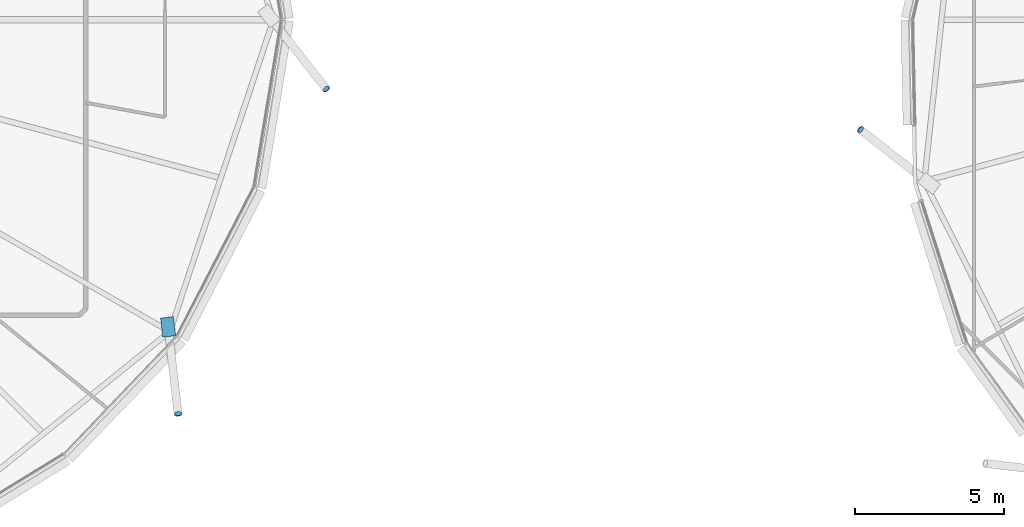
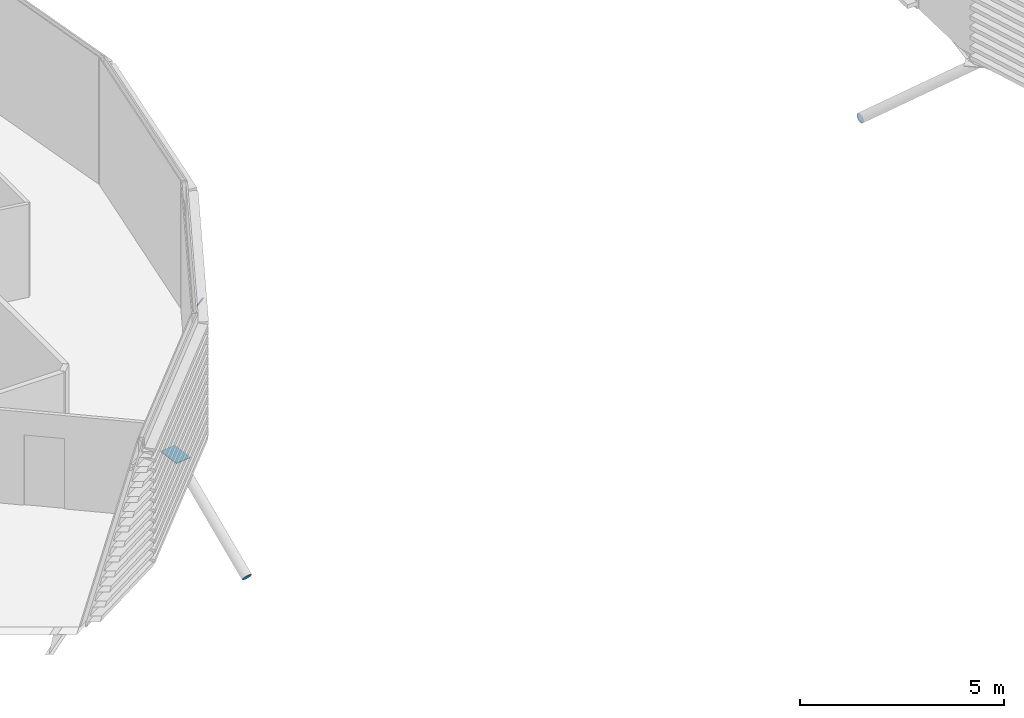
# One storey, part 27 of 36: 4 discrete accessories.
"""IFC4 building model written with IfcOpenShell, lengths in metres."""

import ifcopenshell
import ifcopenshell.guid

model = None  # the IFC model being written
_history = None  # IfcOwnerHistory: only IFC2X3 demands one
_inside = {}  # id of a spatial element -> (the spatial element, [elements in it])
_under = {}  # id of a project, library or spatial element -> (it, [spatial elements below it])
_declared = {}  # id of a project -> (the project, [libraries it declares])
_typed = {}  # id of a type object -> (the type object, [elements of that type])
_made_of = {}  # id of a material, layer set ... -> (it, [elements and type objects made of it])


def new_model(schema):
    """Start an empty IFC model of exactly this schema.

    Asked for "IFC4X3", IfcOpenShell would pick the latest addendum, in which some entities
    have other attributes; the version numbers below select the first issue.
    IFC2X3 requires an IfcOwnerHistory on every rooted entity: one is made here for all.
    """
    global model, _history
    if schema == "IFC4X3":
        model = ifcopenshell.file(schema_version=(4, 3, 0, 0))
    else:
        model = ifcopenshell.file(schema=schema)
    _inside.clear()
    _under.clear()
    _declared.clear()
    _typed.clear()
    _made_of.clear()
    _history = None
    if model.schema == "IFC2X3":
        org = make("IfcOrganization", Name="unknown")
        user = make(
            "IfcPersonAndOrganization",
            ThePerson=make("IfcPerson", FamilyName="unknown"),
            TheOrganization=org,
        )
        app = make(
            "IfcApplication",
            ApplicationDeveloper=org,
            Version="unknown",
            ApplicationFullName="unknown",
            ApplicationIdentifier="unknown",
        )
        _history = make(
            "IfcOwnerHistory",
            OwningUser=user,
            OwningApplication=app,
            ChangeAction="ADDED",
            CreationDate=0,
        )
    return model


def make(cls, **values):
    """One entity of the class cls with the attributes given. An attribute that is None is left unset."""
    return model.create_entity(
        cls, **{name: value for name, value in values.items() if value is not None}
    )


def rooted(cls, **values):
    """An entity with a GlobalId (a new one), such as an element, a storey or a relation."""
    return make(cls, GlobalId=ifcopenshell.guid.new(), OwnerHistory=_history, **values)


def si_unit(unit_type, name, prefix=None):
    """IfcSIUnit, for example si_unit("LENGTHUNIT", "METRE", prefix="MILLI")."""
    return make("IfcSIUnit", UnitType=unit_type, Prefix=prefix, Name=name)


def assignment(units):
    """IfcUnitAssignment: the units of a project."""
    return None if units is None else make("IfcUnitAssignment", Units=units)


def point(xyz):
    """IfcCartesianPoint."""
    return None if xyz is None else make("IfcCartesianPoint", Coordinates=xyz)


def direction(xyz):
    """IfcDirection."""
    return None if xyz is None else make("IfcDirection", DirectionRatios=xyz)


def frame(location, z_axis=None, x_axis=None):
    """IfcAxis2Placement3D, a coordinate frame: its origin and axes. An axis left out is left unset."""
    return make(
        "IfcAxis2Placement3D",
        Location=point(location),
        Axis=direction(z_axis),
        RefDirection=direction(x_axis),
    )


def frame_2d(location, x_axis=None):
    """IfcAxis2Placement2D, a coordinate frame in the plane: its origin and x axis."""
    return make(
        "IfcAxis2Placement2D", Location=point(location), RefDirection=direction(x_axis)
    )


def origin():
    """The frame at (0, 0, 0) with its axes left unset."""
    return frame((0.0, 0.0, 0.0))


def origin_2d():
    """The frame at (0, 0) in the plane with its x axis left unset."""
    return frame_2d((0.0, 0.0))


def place(relative_to, where):
    """IfcLocalPlacement: puts the frame where relative to a parent placement (None: the world)."""
    return make(
        "IfcLocalPlacement", PlacementRelTo=relative_to, RelativePlacement=where
    )


def context(
    kind, dimensions, precision=None, world=None, true_north=None, identifier=None
):
    """IfcGeometricRepresentationContext, for example the 3D "Model" context."""
    return make(
        "IfcGeometricRepresentationContext",
        ContextIdentifier=identifier,
        ContextType=kind,
        CoordinateSpaceDimension=dimensions,
        Precision=precision,
        WorldCoordinateSystem=world,
        TrueNorth=true_north,
    )


def subcontext(parent, identifier, kind, view, scale=None):
    """IfcGeometricRepresentationSubContext, for example "Body" below "Model"."""
    return make(
        "IfcGeometricRepresentationSubContext",
        ContextIdentifier=identifier,
        ContextType=kind,
        ParentContext=parent,
        TargetScale=scale,
        TargetView=view,
    )


def project(units=None, contexts=None):
    """IfcProject with its units and contexts."""
    return rooted(
        "IfcProject",
        Name="project",
        RepresentationContexts=contexts,
        UnitsInContext=assignment(units),
    )


def spatial(cls, under=None, at=None, **own):
    """A site, building, storey or space (cls), placed at a placement, below another one or the project."""
    s = rooted(cls, ObjectPlacement=at, **own)
    if under is not None:
        _under.setdefault(under.id(), (under, []))[1].append(s)
    return s


def polyline(points):
    """IfcPolyline through the points."""
    return make("IfcPolyline", Points=[point(p) for p in points])


def profile(cls, at=None, kind="AREA", **sizes):
    """A parametric profile (cls). Its sizes go by their IFC names, for example OverallWidth=200.0."""
    return make(cls, ProfileType=kind, Position=at, **sizes)


def rectangle(**sizes):
    """IfcRectangleProfileDef."""
    return profile("IfcRectangleProfileDef", **sizes)


def circle(**sizes):
    """IfcCircleProfileDef."""
    return profile("IfcCircleProfileDef", **sizes)


def outline(outer, holes=None, kind="AREA"):
    """IfcArbitraryClosedProfileDef: a profile drawn as a closed curve; with holes, ...WithVoids."""
    if holes is None:
        return make("IfcArbitraryClosedProfileDef", ProfileType=kind, OuterCurve=outer)
    return make(
        "IfcArbitraryProfileDefWithVoids",
        ProfileType=kind,
        OuterCurve=outer,
        InnerCurves=holes,
    )


def extrude(swept, where, along, depth):
    """IfcExtrudedAreaSolid: the profile swept, set in the frame where, extruded along a direction by depth."""
    return make(
        "IfcExtrudedAreaSolid",
        SweptArea=swept,
        Position=where,
        ExtrudedDirection=direction(along),
        Depth=depth,
    )


def shape(context_of_items, identifier, shape_type, items):
    """IfcShapeRepresentation: the items that make up one representation, for example the "Body"."""
    return make(
        "IfcShapeRepresentation",
        ContextOfItems=context_of_items,
        RepresentationIdentifier=identifier,
        RepresentationType=shape_type,
        Items=items,
    )


def material(Name=None, Category=None):
    """IfcMaterial."""
    return make("IfcMaterial", Name=Name, Category=Category)


def material_profile(
    of_material, cross_section, Name=None, Category=None, Priority=None
):
    """IfcMaterialProfile: a cross section and its material."""
    return make(
        "IfcMaterialProfile",
        Name=Name,
        Material=of_material,
        Profile=cross_section,
        Priority=Priority,
        Category=Category,
    )


def profile_set(profiles, Name=None, composite=None):
    """IfcMaterialProfileSet."""
    return make(
        "IfcMaterialProfileSet",
        Name=Name,
        MaterialProfiles=profiles,
        CompositeProfile=composite,
    )


def made_of(thing, what):
    """Note that an element or type object is made of a material, layer set ...; save() writes the relation."""
    if what is not None:
        _made_of.setdefault(what.id(), (what, []))[1].append(thing)
    return thing


def type_object(cls, material=None, **own):
    """A type object (cls), such as IfcWallType, which elements share."""
    return made_of(rooted(cls, **own), material)


def element(
    cls,
    number,
    at=None,
    inside=None,
    cuts=None,
    type_object=None,
    material=None,
    context=None,
    identifier="Body",
    shape_type=None,
    held_by="IfcProductDefinitionShape",
    body=None,
    shapes=None,
    **own,
):
    """One element of the class cls, such as IfcWall. Its Tag is "e" and its number.

    at: its placement. inside: the storey or other place that contains it. cuts: it is an
    opening in that element (IfcRelVoidsElement). A single representation is given by context,
    identifier, shape_type and body (its items); several are given by shapes. held_by: the class
    of the entity that holds the representations. save() writes the other relations.
    """
    e = rooted(cls, Tag="e%d" % number, ObjectPlacement=at, **own)
    if body is not None:
        shapes = [shape(context, identifier, shape_type, body)]
    if shapes is not None:
        e.Representation = make(held_by, Representations=shapes)
    if inside is not None:
        _inside.setdefault(inside.id(), (inside, []))[1].append(e)
    if cuts is not None:
        rooted(
            "IfcRelVoidsElement", RelatingBuildingElement=cuts, RelatedOpeningElement=e
        )
    if type_object is not None:
        _typed.setdefault(type_object.id(), (type_object, []))[1].append(e)
    return made_of(e, material)


def aggregate(whole, parts):
    """IfcRelAggregates: a whole, such as a stair, and the parts it consists of."""
    return rooted("IfcRelAggregates", RelatingObject=whole, RelatedObjects=parts)


def save(model, path):
    """Write the relations noted so far, then the file.

    IfcRelAggregates (storeys below a building ...), IfcRelContainedInSpatialStructure (elements
    in a storey), IfcRelDefinesByType, IfcRelAssociatesMaterial and IfcRelDeclares: one each for
    every whole, place, type object, material and project.
    """
    for whole, parts in _under.values():
        aggregate(whole, parts)
    for where, things in _inside.values():
        rooted(
            "IfcRelContainedInSpatialStructure",
            RelatedElements=things,
            RelatingStructure=where,
        )
    for kind, things in _typed.values():
        rooted("IfcRelDefinesByType", RelatedObjects=things, RelatingType=kind)
    for what, things in _made_of.values():
        rooted("IfcRelAssociatesMaterial", RelatedObjects=things, RelatingMaterial=what)
    for by, libraries in _declared.values():
        rooted("IfcRelDeclares", RelatingContext=by, RelatedDefinitions=libraries)
    model.write(path)


model = new_model("IFC4")

# Units and contexts
model_context = context("Model", 3, precision=1e-05, world=origin(), true_north=direction((0.0, 1.0)))
body_context = subcontext(model_context, "Body", "Model", "MODEL_VIEW")
ifc_project = project(units=[si_unit("LENGTHUNIT", "METRE"), si_unit("AREAUNIT", "SQUARE_METRE"), si_unit("VOLUMEUNIT", "CUBIC_METRE"), si_unit("PLANEANGLEUNIT", "RADIAN"), si_unit("MASSUNIT", "GRAM", prefix="KILO")], contexts=[model_context])

# Site, building, storey
site_placement = place(None, origin())
site = spatial("IfcSite", under=ifc_project, at=site_placement, CompositionType="ELEMENT")
building_placement = place(site_placement, origin())
building = spatial("IfcBuilding", under=site, at=building_placement, Name="Rimbun Link Towers", CompositionType="ELEMENT")
storey_placement = place(building_placement, frame((0.0, 0.0, 189.300048828125)))
storey = spatial("IfcBuildingStorey", under=building, at=storey_placement, Name="L46", CompositionType="ELEMENT", Elevation=189.300048828125)

# Discrete accessories
ifc_material_1 = material(Name="Steel S355J2H", Category="steel")
ifc_material_profile_1 = material_profile(ifc_material_1, circle(Radius=0.1240234375, at=origin_2d()), Name="PL D248")
ifc_profile_set_1 = profile_set([ifc_material_profile_1], Name="Steel S355J2H")
discrete_accessory_type_1 = type_object("IfcDiscreteAccessoryType", Name="Link foot sealing plate D248X20", PredefinedType="BRACKET", material=ifc_profile_set_1)
discrete_accessory_1_placement = place(storey_placement, frame((-8.436279296875, -2.31396484375, -2.624267578125), z_axis=(0.528732930927, -0.663990192327, -0.528732930927), x_axis=(0.782280144548, 0.62292678177, 0.0)))
element("IfcDiscreteAccessory", 1, at=discrete_accessory_1_placement, inside=storey, type_object=discrete_accessory_type_1, Name="Link foot sealing plate T1 L46 00", PredefinedType="BRACKET", context=body_context, shape_type="SweptSolid", body=[
    extrude(circle(Radius=0.1240234375, at=origin_2d()), origin(), (0.0, 0.0, 1.0), 0.019775390625),
])
for number, where, z_axis, x_axis, name in (
    (2, (-13.3916015625, -13.183837890625, -2.516357421875), (0.085813702775, -0.821359726564, -0.563918618238), (0.994586492849, 0.103912021641, 0.0), "Link foot sealing plate T1 L46 22"),
    (3, (9.448486328125, -3.6845703125, -2.568359375), (-0.659468974903, 0.512920313813, -0.549557479085), (-0.613940613515, -0.789352217376, 0.0), "Link foot sealing plate T2 L46 10"),
):
    element("IfcDiscreteAccessory", number, at=place(storey_placement, frame(where, z_axis=z_axis, x_axis=x_axis)), inside=storey, type_object=discrete_accessory_type_1, Name=name, PredefinedType="BRACKET", context=body_context, shape_type="SweptSolid", body=[
        extrude(circle(Radius=0.1240234375, at=origin_2d()), origin(), (0.0, 0.0, 1.0), 0.02001953125),
    ])
ifc_material_2 = material(Name="Steel S355J2H", Category="steel")
ifc_material_profile_2 = material_profile(ifc_material_2, rectangle(XDim=0.43310546875, YDim=0.43310546875, at=origin_2d()), Name="PL 433x433")
ifc_profile_set_2 = profile_set([ifc_material_profile_2], Name="Steel S355J2H")
discrete_accessory_type_2 = type_object("IfcDiscreteAccessoryType", Name="Link head end plate 433X20", PredefinedType="BRACKET", material=ifc_profile_set_2)
discrete_accessory_2_placement = place(storey_placement, frame((0.0, 0.0, -0.525146484375)))
element("IfcDiscreteAccessory", 4, at=discrete_accessory_2_placement, inside=storey, type_object=discrete_accessory_type_2, Name="Link head end plate T1 L46 22", PredefinedType="BRACKET", context=body_context, shape_type="SweptSolid", body=[
    extrude(outline(polyline([(-13.9765625, -9.98486328125), (-13.903076171875, -10.62548828125), (-13.472900390625, -10.576171875), (-13.54638671875, -9.935302734375), (-13.9765625, -9.98486328125)])), origin(), (0.0, 0.0, 1.0), 0.02001953125),
])

save(model, "model.ifc")
